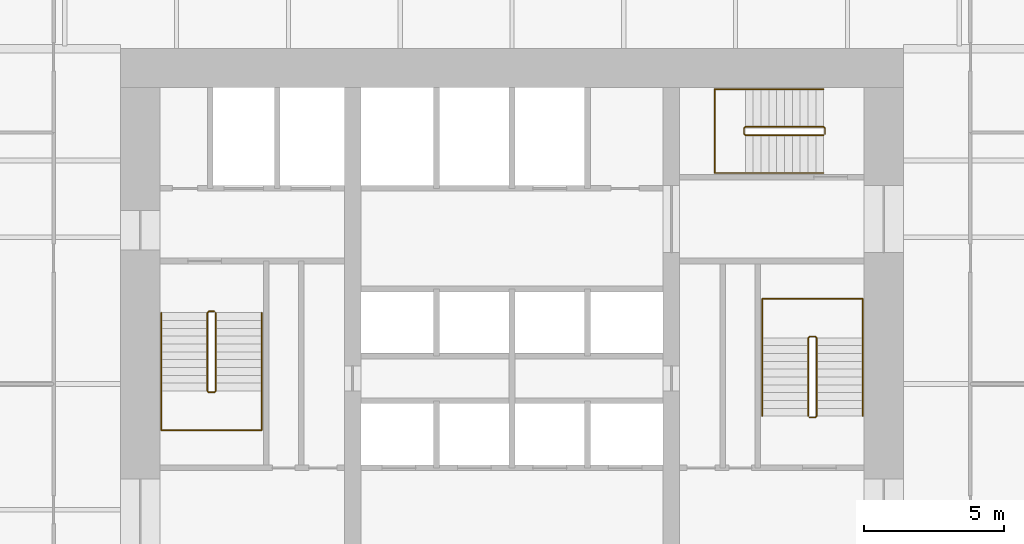
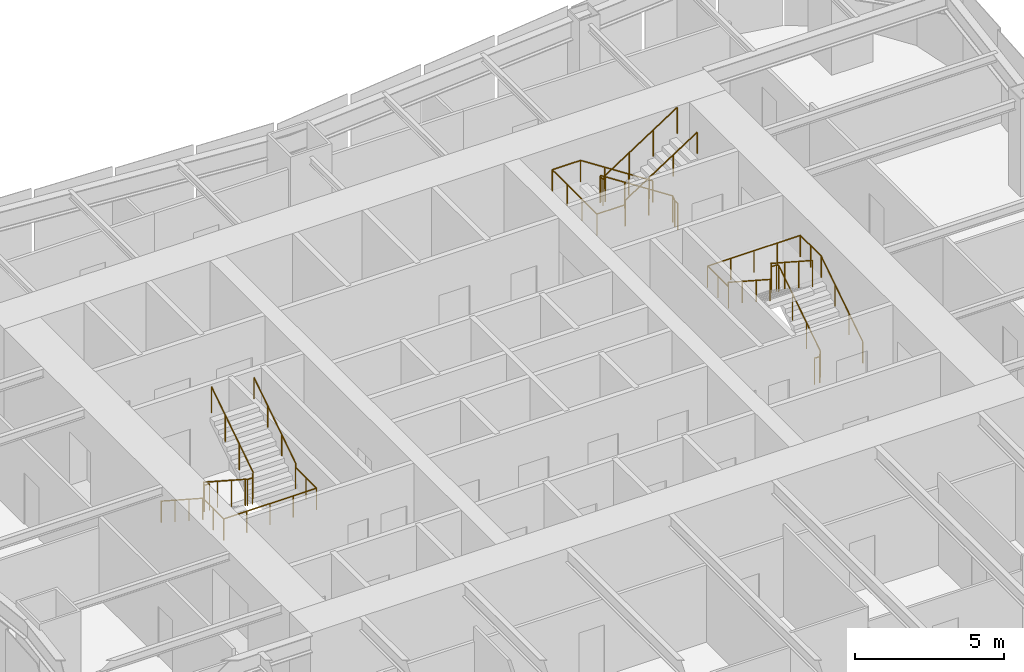
# One storey, part 7 of 7: 6 railings.
"""IFC4 building model written with IfcOpenShell, lengths in metres."""

from ifc_helpers import new_model, si_unit, direction, frame, origin, origin_2d, place, context, subcontext, project, spatial, circle, extrude, material, type_object, element, save


model = new_model("IFC4")

# Units and contexts
model_context = context("Model", 3, precision=1e-05, world=origin(), true_north=direction((0.0, 1.0)))
body_context = subcontext(model_context, "Body", "Model", "MODEL_VIEW")
ifc_project = project(units=[si_unit("LENGTHUNIT", "METRE"), si_unit("AREAUNIT", "SQUARE_METRE"), si_unit("VOLUMEUNIT", "CUBIC_METRE"), si_unit("PLANEANGLEUNIT", "RADIAN"), si_unit("MASSUNIT", "GRAM", prefix="KILO")], contexts=[model_context])

# Site, building, storey
site_placement = place(None, origin())
site = spatial("IfcSite", under=ifc_project, at=site_placement, CompositionType="ELEMENT")
building_placement = place(site_placement, origin())
building = spatial("IfcBuilding", under=site, at=building_placement, Name="Verdant Reach Tower", CompositionType="ELEMENT")
storey_placement = place(building_placement, frame((0.0, 0.0, 54.0)))
storey = spatial("IfcBuildingStorey", under=building, at=storey_placement, Name="L12", CompositionType="ELEMENT", Elevation=54.0)

# Railings
ifc_material = material(Name="Stainless steel", Category="steel")
railing_type_1 = type_object("IfcRailingType", Name="CO-GUARD", PredefinedType="GUARDRAIL", material=ifc_material)
railing_1_placement = place(storey_placement, frame((-10.64990234375, 29.60009765625, 0.0)))
element("IfcRailing", 1, at=railing_1_placement, inside=storey, type_object=railing_type_1, Name="L12 ST-1 stair guard 1", PredefinedType="GUARDRAIL", context=body_context, shape_type="SweptSolid", body=[
    extrude(circle(Radius=0.02392578125, at=origin_2d()), frame((0.0, 0.0, 1.076171875), z_axis=(-1.0, 0.0, 0.0), x_axis=(0.0, -1.0, 0.0)), (0.0, 0.0, 1.0), 0.2001953125),
    extrude(circle(Radius=0.02392578125, at=origin_2d()), frame((-0.2001953125, 0.0, 1.076171875), z_axis=(-0.25526617399, -0.256517478764, 0.932222056972), x_axis=(0.708833529934, -0.705375805398, 0.0)), (0.0, 0.0, 1.0), 0.195068359375),
    extrude(circle(Radius=0.02392578125, at=origin_2d()), frame((-0.25, -0.050048828125, 1.2578125), z_axis=(0.0, -0.838705829183, 0.544584733623), x_axis=(1.0, 0.0, 0.0)), (0.0, 0.0, 1.0), 3.338623046875),
    extrude(circle(Radius=0.02392578125, at=origin_2d()), frame((-0.25, -2.85009765625, 3.076171875), z_axis=(0.705375805398, -0.708833529934, 0.0), x_axis=(0.708833529934, 0.705375805398, 0.0)), (0.0, 0.0, 1.0), 0.070556640625),
    extrude(circle(Radius=0.02392578125, at=origin_2d()), frame((-0.2001953125, -2.900146484375, 3.076171875), z_axis=(1.0, 0.0, 0.0), x_axis=(0.0, 1.0, 0.0)), (0.0, 0.0, 1.0), 0.2001953125),
    extrude(circle(Radius=0.02392578125, at=origin_2d()), frame((0.0, -2.900146484375, 3.076171875), z_axis=(0.25526617399, 0.256517478764, 0.932222056972), x_axis=(-0.708833529934, 0.705375805398, 0.0)), (0.0, 0.0, 1.0), 0.195068359375),
    extrude(circle(Radius=0.02392578125, at=origin_2d()), frame((0.0498046875, -2.85009765625, 3.2578125), z_axis=(0.0, 0.838705829183, 0.544584733623), x_axis=(-1.0, 0.0, 0.0)), (0.0, 0.0, 1.0), 3.338623046875),
    extrude(circle(Radius=0.02099609375, at=origin_2d()), origin(), (0.0, 0.0, 1.0), 1.052001953125),
    extrude(circle(Radius=0.02099609375, at=origin_2d()), frame((-0.2001953125, 0.0, 0.0)), (0.0, 0.0, 1.0), 1.052001953125),
    extrude(circle(Radius=0.02099609375, at=origin_2d()), frame((-0.25, -0.050048828125, 0.181884765625)), (0.0, 0.0, 1.0), 1.052001953125),
    extrude(circle(Radius=0.02099609375, at=origin_2d()), frame((-0.25, -0.9833984375, 0.787841796875)), (0.0, 0.0, 1.0), 1.052001953125),
    extrude(circle(Radius=0.02099609375, at=origin_2d()), frame((-0.25, -1.916748046875, 1.39404296875)), (0.0, 0.0, 1.0), 1.052001953125),
    extrude(circle(Radius=0.02099609375, at=origin_2d()), frame((-0.25, -2.85009765625, 2.0)), (0.0, 0.0, 1.0), 1.052001953125),
    extrude(circle(Radius=0.02099609375, at=origin_2d()), frame((-0.2001953125, -2.900146484375, 2.0)), (0.0, 0.0, 1.0), 1.052001953125),
    extrude(circle(Radius=0.02099609375, at=origin_2d()), frame((0.0, -2.900146484375, 2.0)), (0.0, 0.0, 1.0), 1.052001953125),
    extrude(circle(Radius=0.02099609375, at=origin_2d()), frame((0.0498046875, -2.85009765625, 2.181884765625)), (0.0, 0.0, 1.0), 1.052001953125),
    extrude(circle(Radius=0.02099609375, at=origin_2d()), frame((0.0498046875, -1.916748046875, 2.787841796875)), (0.0, 0.0, 1.0), 1.052001953125),
    extrude(circle(Radius=0.02099609375, at=origin_2d()), frame((0.0498046875, -0.9833984375, 3.39404296875)), (0.0, 0.0, 1.0), 1.052001953125),
    extrude(circle(Radius=0.02099609375, at=origin_2d()), frame((0.0498046875, -0.050048828125, 4.0)), (0.0, 0.0, 1.0), 1.052001953125),
])
railing_2_placement = place(storey_placement, frame((10.64990234375, 25.800048828125, 0.0)))
element("IfcRailing", 2, at=railing_2_placement, inside=storey, type_object=railing_type_1, Name="L12 ST-2 stair guard 1", PredefinedType="GUARDRAIL", context=body_context, shape_type="SweptSolid", body=[
    extrude(circle(Radius=0.02392578125, at=origin_2d()), frame((0.0, 0.0, 1.076171875), z_axis=(1.0, 0.0, 0.0), x_axis=(0.0, 1.0, 0.0)), (0.0, 0.0, 1.0), 0.2001953125),
    extrude(circle(Radius=0.02392578125, at=origin_2d()), frame((0.2001953125, 0.0, 1.076171875), z_axis=(0.25526617399, 0.256517478764, 0.932222056972), x_axis=(-0.708833529934, 0.705375805398, 0.0)), (0.0, 0.0, 1.0), 0.195068359375),
    extrude(circle(Radius=0.02392578125, at=origin_2d()), frame((0.25, 0.050048828125, 1.2578125), z_axis=(0.0, 0.83868413941, 0.544618136222), x_axis=(-1.0, 0.0, 0.0)), (0.0, 0.0, 1.0), 3.33837890625),
    extrude(circle(Radius=0.02392578125, at=origin_2d()), frame((0.25, 2.849853515625, 3.076171875), z_axis=(-0.705375805398, 0.708833529934, 0.0), x_axis=(-0.708833529934, -0.705375805398, 0.0)), (0.0, 0.0, 1.0), 0.070556640625),
    extrude(circle(Radius=0.02392578125, at=origin_2d()), frame((0.2001953125, 2.89990234375, 3.076171875), z_axis=(-1.0, 0.0, 0.0), x_axis=(0.0, -1.0, 0.0)), (0.0, 0.0, 1.0), 0.2001953125),
    extrude(circle(Radius=0.02392578125, at=origin_2d()), frame((0.0, 2.89990234375, 3.076171875), z_axis=(-0.25526617399, -0.256517478764, 0.932222056972), x_axis=(0.708833529934, -0.705375805398, 0.0)), (0.0, 0.0, 1.0), 0.195068359375),
    extrude(circle(Radius=0.02392578125, at=origin_2d()), frame((-0.0498046875, 2.849853515625, 3.2578125), z_axis=(0.0, -0.83868413941, 0.544618136222), x_axis=(1.0, 0.0, 0.0)), (0.0, 0.0, 1.0), 3.33837890625),
    extrude(circle(Radius=0.02099609375, at=origin_2d()), origin(), (0.0, 0.0, 1.0), 1.052001953125),
    extrude(circle(Radius=0.02099609375, at=origin_2d()), frame((0.2001953125, 0.0, 0.0)), (0.0, 0.0, 1.0), 1.052001953125),
    extrude(circle(Radius=0.02099609375, at=origin_2d()), frame((0.25, 0.050048828125, 0.181884765625)), (0.0, 0.0, 1.0), 1.052001953125),
    extrude(circle(Radius=0.02099609375, at=origin_2d()), frame((0.25, 0.9833984375, 0.787841796875)), (0.0, 0.0, 1.0), 1.052001953125),
    extrude(circle(Radius=0.02099609375, at=origin_2d()), frame((0.25, 1.91650390625, 1.39404296875)), (0.0, 0.0, 1.0), 1.052001953125),
    extrude(circle(Radius=0.02099609375, at=origin_2d()), frame((0.25, 2.849853515625, 2.0)), (0.0, 0.0, 1.0), 1.052001953125),
    extrude(circle(Radius=0.02099609375, at=origin_2d()), frame((0.2001953125, 2.89990234375, 2.0)), (0.0, 0.0, 1.0), 1.052001953125),
    extrude(circle(Radius=0.02099609375, at=origin_2d()), frame((0.0, 2.89990234375, 2.0)), (0.0, 0.0, 1.0), 1.052001953125),
    extrude(circle(Radius=0.02099609375, at=origin_2d()), frame((-0.0498046875, 2.849853515625, 2.181884765625)), (0.0, 0.0, 1.0), 1.052001953125),
    extrude(circle(Radius=0.02099609375, at=origin_2d()), frame((-0.0498046875, 1.91650390625, 2.787841796875)), (0.0, 0.0, 1.0), 1.052001953125),
    extrude(circle(Radius=0.02099609375, at=origin_2d()), frame((-0.0498046875, 0.9833984375, 3.39404296875)), (0.0, 0.0, 1.0), 1.052001953125),
    extrude(circle(Radius=0.02099609375, at=origin_2d()), frame((-0.0498046875, 0.050048828125, 4.0)), (0.0, 0.0, 1.0), 1.052001953125),
])
railing_3_placement = place(storey_placement, frame((11.199951171875, 35.949951171875, 0.0)))
element("IfcRailing", 3, at=railing_3_placement, inside=storey, type_object=railing_type_1, Name="L12 ST-3 stair guard 1", PredefinedType="GUARDRAIL", context=body_context, shape_type="SweptSolid", body=[
    extrude(circle(Radius=0.02392578125, at=origin_2d()), frame((0.0, 0.0, 1.076171875), z_axis=(0.0, 1.0, 0.0), x_axis=(-1.0, 0.0, 0.0)), (0.0, 0.0, 1.0), 0.199951171875),
    extrude(circle(Radius=0.02392578125, at=origin_2d()), frame((0.0, 0.199951171875, 1.076171875), z_axis=(-0.256435381639, 0.256435381639, 0.931923704005), x_axis=(-0.707106781187, -0.707106781187, 0.0)), (0.0, 0.0, 1.0), 0.195068359375),
    extrude(circle(Radius=0.02392578125, at=origin_2d()), frame((-0.050048828125, 0.25, 1.2578125), z_axis=(-0.83868413941, 0.0, 0.544618136222), x_axis=(0.0, -1.0, 0.0)), (0.0, 0.0, 1.0), 3.33837890625),
    extrude(circle(Radius=0.02392578125, at=origin_2d()), frame((-2.849853515625, 0.25, 3.076171875), z_axis=(-0.707106781187, -0.707106781187, 0.0), x_axis=(0.707106781187, -0.707106781187, 0.0)), (0.0, 0.0, 1.0), 0.07080078125),
    extrude(circle(Radius=0.02392578125, at=origin_2d()), frame((-2.89990234375, 0.199951171875, 3.076171875), z_axis=(0.0, -1.0, 0.0), x_axis=(1.0, 0.0, 0.0)), (0.0, 0.0, 1.0), 0.199951171875),
    extrude(circle(Radius=0.02392578125, at=origin_2d()), frame((-2.89990234375, 0.0, 3.076171875), z_axis=(0.256435381639, -0.256435381639, 0.931923704005), x_axis=(0.707106781187, 0.707106781187, 0.0)), (0.0, 0.0, 1.0), 0.195068359375),
    extrude(circle(Radius=0.02392578125, at=origin_2d()), frame((-2.849853515625, -0.050048828125, 3.2578125), z_axis=(0.83868413941, 0.0, 0.544618136222), x_axis=(0.0, 1.0, 0.0)), (0.0, 0.0, 1.0), 3.33837890625),
    extrude(circle(Radius=0.02099609375, at=origin_2d()), origin(), (0.0, 0.0, 1.0), 1.052001953125),
    extrude(circle(Radius=0.02099609375, at=origin_2d()), frame((0.0, 0.199951171875, 0.0)), (0.0, 0.0, 1.0), 1.052001953125),
    extrude(circle(Radius=0.02099609375, at=origin_2d()), frame((-0.050048828125, 0.25, 0.181884765625)), (0.0, 0.0, 1.0), 1.052001953125),
    extrude(circle(Radius=0.02099609375, at=origin_2d()), frame((-0.9833984375, 0.25, 0.787841796875)), (0.0, 0.0, 1.0), 1.052001953125),
    extrude(circle(Radius=0.02099609375, at=origin_2d()), frame((-1.91650390625, 0.25, 1.39404296875)), (0.0, 0.0, 1.0), 1.052001953125),
    extrude(circle(Radius=0.02099609375, at=origin_2d()), frame((-2.849853515625, 0.25, 2.0)), (0.0, 0.0, 1.0), 1.052001953125),
    extrude(circle(Radius=0.02099609375, at=origin_2d()), frame((-2.89990234375, 0.199951171875, 2.0)), (0.0, 0.0, 1.0), 1.052001953125),
    extrude(circle(Radius=0.02099609375, at=origin_2d()), frame((-2.89990234375, 0.0, 2.0)), (0.0, 0.0, 1.0), 1.052001953125),
    extrude(circle(Radius=0.02099609375, at=origin_2d()), frame((-2.849853515625, -0.050048828125, 2.181884765625)), (0.0, 0.0, 1.0), 1.052001953125),
    extrude(circle(Radius=0.02099609375, at=origin_2d()), frame((-1.91650390625, -0.050048828125, 2.787841796875)), (0.0, 0.0, 1.0), 1.052001953125),
    extrude(circle(Radius=0.02099609375, at=origin_2d()), frame((-0.9833984375, -0.050048828125, 3.39404296875)), (0.0, 0.0, 1.0), 1.052001953125),
    extrude(circle(Radius=0.02099609375, at=origin_2d()), frame((-0.050048828125, -0.050048828125, 4.0)), (0.0, 0.0, 1.0), 1.052001953125),
])
railing_type_2 = type_object("IfcRailingType", Name="CO-HANDRAIL", PredefinedType="HANDRAIL", material=ifc_material)
railing_4_placement = place(storey_placement, frame((-12.550048828125, 29.550048828125, 0.181884765625)))
element("IfcRailing", 4, at=railing_4_placement, inside=storey, type_object=railing_type_2, Name="L12 ST-1 stair handrail 1", PredefinedType="HANDRAIL", context=body_context, shape_type="SweptSolid", body=[
    extrude(circle(Radius=0.02392578125, at=origin_2d()), frame((0.0, 0.0, 0.8759765625), z_axis=(0.0, -0.838705829183, 0.544584733623), x_axis=(1.0, 0.0, 0.0)), (0.0, 0.0, 1.0), 3.338623046875),
    extrude(circle(Radius=0.02392578125, at=origin_2d()), frame((0.0, -2.800048828125, 2.69384765625), z_axis=(0.0, -1.0, 0.0), x_axis=(1.0, 0.0, 0.0)), (0.0, 0.0, 1.0), 1.39990234375),
    extrude(circle(Radius=0.02392578125, at=origin_2d()), frame((0.0, -4.199951171875, 2.69384765625), z_axis=(1.0, 0.0, 0.0), x_axis=(0.0, 1.0, 0.0)), (0.0, 0.0, 1.0), 3.60009765625),
    extrude(circle(Radius=0.02392578125, at=origin_2d()), frame((3.60009765625, -4.199951171875, 2.69384765625), z_axis=(0.0, 1.0, 0.0), x_axis=(-1.0, 0.0, 0.0)), (0.0, 0.0, 1.0), 1.39990234375),
    extrude(circle(Radius=0.02392578125, at=origin_2d()), frame((3.60009765625, -2.800048828125, 2.69384765625), z_axis=(0.0, 0.0, 1.0), x_axis=(1.0, 0.0, 0.0)), (0.0, 0.0, 1.0), 0.181884765625),
    extrude(circle(Radius=0.02392578125, at=origin_2d()), frame((3.60009765625, -2.800048828125, 2.8759765625), z_axis=(0.0, 0.838705829183, 0.544584733623), x_axis=(-1.0, 0.0, 0.0)), (0.0, 0.0, 1.0), 3.338623046875),
    extrude(circle(Radius=0.02099609375, at=origin_2d()), origin(), (0.0, 0.0, 1.0), 0.851806640625),
    extrude(circle(Radius=0.02099609375, at=origin_2d()), frame((0.0, -0.933349609375, 0.60595703125)), (0.0, 0.0, 1.0), 0.851806640625),
    extrude(circle(Radius=0.02099609375, at=origin_2d()), frame((0.0, -1.86669921875, 1.212158203125)), (0.0, 0.0, 1.0), 0.851806640625),
    extrude(circle(Radius=0.02099609375, at=origin_2d()), frame((0.0, -2.800048828125, 1.818115234375)), (0.0, 0.0, 1.0), 0.851806640625),
    extrude(circle(Radius=0.02099609375, at=origin_2d()), frame((0.0, -3.5, 1.818115234375)), (0.0, 0.0, 1.0), 0.851806640625),
    extrude(circle(Radius=0.02099609375, at=origin_2d()), frame((0.0, -4.199951171875, 1.818115234375)), (0.0, 0.0, 1.0), 0.851806640625),
    extrude(circle(Radius=0.02099609375, at=origin_2d()), frame((0.89990234375, -4.199951171875, 1.818115234375)), (0.0, 0.0, 1.0), 0.851806640625),
    extrude(circle(Radius=0.02099609375, at=origin_2d()), frame((1.800048828125, -4.199951171875, 1.818115234375)), (0.0, 0.0, 1.0), 0.851806640625),
    extrude(circle(Radius=0.02099609375, at=origin_2d()), frame((2.7001953125, -4.199951171875, 1.818115234375)), (0.0, 0.0, 1.0), 0.851806640625),
    extrude(circle(Radius=0.02099609375, at=origin_2d()), frame((3.60009765625, -4.199951171875, 1.818115234375)), (0.0, 0.0, 1.0), 0.851806640625),
    extrude(circle(Radius=0.02099609375, at=origin_2d()), frame((3.60009765625, -3.5, 1.818115234375)), (0.0, 0.0, 1.0), 0.851806640625),
    extrude(circle(Radius=0.02099609375, at=origin_2d()), frame((3.60009765625, -2.800048828125, 1.818115234375)), (0.0, 0.0, 1.0), 0.851806640625),
    extrude(circle(Radius=0.02099609375, at=origin_2d()), frame((3.60009765625, -2.800048828125, 2.0)), (0.0, 0.0, 1.0), 0.851806640625),
    extrude(circle(Radius=0.02099609375, at=origin_2d()), frame((3.60009765625, -1.86669921875, 2.60595703125)), (0.0, 0.0, 1.0), 0.851806640625),
    extrude(circle(Radius=0.02099609375, at=origin_2d()), frame((3.60009765625, -0.933349609375, 3.212158203125)), (0.0, 0.0, 1.0), 0.851806640625),
    extrude(circle(Radius=0.02099609375, at=origin_2d()), frame((3.60009765625, 0.0, 3.818115234375)), (0.0, 0.0, 1.0), 0.851806640625),
])
railing_5_placement = place(storey_placement, frame((12.550048828125, 25.85009765625, 0.181884765625)))
element("IfcRailing", 5, at=railing_5_placement, inside=storey, type_object=railing_type_2, Name="L12 ST-2 stair handrail 1", PredefinedType="HANDRAIL", context=body_context, shape_type="SweptSolid", body=[
    extrude(circle(Radius=0.02392578125, at=origin_2d()), frame((0.0, 0.0, 0.8759765625), z_axis=(0.0, 0.83868413941, 0.544618136222), x_axis=(-1.0, 0.0, 0.0)), (0.0, 0.0, 1.0), 3.33837890625),
    extrude(circle(Radius=0.02392578125, at=origin_2d()), frame((0.0, 2.7998046875, 2.69384765625), z_axis=(0.0, 1.0, 0.0), x_axis=(-1.0, 0.0, 0.0)), (0.0, 0.0, 1.0), 1.400146484375),
    extrude(circle(Radius=0.02392578125, at=origin_2d()), frame((0.0, 4.199951171875, 2.69384765625), z_axis=(-1.0, 0.0, 0.0), x_axis=(0.0, -1.0, 0.0)), (0.0, 0.0, 1.0), 3.60009765625),
    extrude(circle(Radius=0.02392578125, at=origin_2d()), frame((-3.60009765625, 4.199951171875, 2.69384765625), z_axis=(0.0, -1.0, 0.0), x_axis=(1.0, 0.0, 0.0)), (0.0, 0.0, 1.0), 1.400146484375),
    extrude(circle(Radius=0.02392578125, at=origin_2d()), frame((-3.60009765625, 2.7998046875, 2.69384765625), z_axis=(0.0, 0.0, 1.0), x_axis=(1.0, 0.0, 0.0)), (0.0, 0.0, 1.0), 0.181884765625),
    extrude(circle(Radius=0.02392578125, at=origin_2d()), frame((-3.60009765625, 2.7998046875, 2.8759765625), z_axis=(0.0, -0.83868413941, 0.544618136222), x_axis=(1.0, 0.0, 0.0)), (0.0, 0.0, 1.0), 3.33837890625),
    extrude(circle(Radius=0.02099609375, at=origin_2d()), origin(), (0.0, 0.0, 1.0), 0.851806640625),
    extrude(circle(Radius=0.02099609375, at=origin_2d()), frame((0.0, 0.933349609375, 0.60595703125)), (0.0, 0.0, 1.0), 0.851806640625),
    extrude(circle(Radius=0.02099609375, at=origin_2d()), frame((0.0, 1.866455078125, 1.212158203125)), (0.0, 0.0, 1.0), 0.851806640625),
    extrude(circle(Radius=0.02099609375, at=origin_2d()), frame((0.0, 2.7998046875, 1.818115234375)), (0.0, 0.0, 1.0), 0.851806640625),
    extrude(circle(Radius=0.02099609375, at=origin_2d()), frame((0.0, 3.5, 1.818115234375)), (0.0, 0.0, 1.0), 0.851806640625),
    extrude(circle(Radius=0.02099609375, at=origin_2d()), frame((0.0, 4.199951171875, 1.818115234375)), (0.0, 0.0, 1.0), 0.851806640625),
    extrude(circle(Radius=0.02099609375, at=origin_2d()), frame((-0.89990234375, 4.199951171875, 1.818115234375)), (0.0, 0.0, 1.0), 0.851806640625),
    extrude(circle(Radius=0.02099609375, at=origin_2d()), frame((-1.800048828125, 4.199951171875, 1.818115234375)), (0.0, 0.0, 1.0), 0.851806640625),
    extrude(circle(Radius=0.02099609375, at=origin_2d()), frame((-2.7001953125, 4.199951171875, 1.818115234375)), (0.0, 0.0, 1.0), 0.851806640625),
    extrude(circle(Radius=0.02099609375, at=origin_2d()), frame((-3.60009765625, 4.199951171875, 1.818115234375)), (0.0, 0.0, 1.0), 0.851806640625),
    extrude(circle(Radius=0.02099609375, at=origin_2d()), frame((-3.60009765625, 3.5, 1.818115234375)), (0.0, 0.0, 1.0), 0.851806640625),
    extrude(circle(Radius=0.02099609375, at=origin_2d()), frame((-3.60009765625, 2.7998046875, 1.818115234375)), (0.0, 0.0, 1.0), 0.851806640625),
    extrude(circle(Radius=0.02099609375, at=origin_2d()), frame((-3.60009765625, 2.7998046875, 2.0)), (0.0, 0.0, 1.0), 0.851806640625),
    extrude(circle(Radius=0.02099609375, at=origin_2d()), frame((-3.60009765625, 1.866455078125, 2.60595703125)), (0.0, 0.0, 1.0), 0.851806640625),
    extrude(circle(Radius=0.02099609375, at=origin_2d()), frame((-3.60009765625, 0.933349609375, 3.212158203125)), (0.0, 0.0, 1.0), 0.851806640625),
    extrude(circle(Radius=0.02099609375, at=origin_2d()), frame((-3.60009765625, 0.0, 3.818115234375)), (0.0, 0.0, 1.0), 0.851806640625),
])
railing_6_placement = place(storey_placement, frame((11.14990234375, 37.550048828125, 0.181884765625)))
element("IfcRailing", 6, at=railing_6_placement, inside=storey, type_object=railing_type_2, Name="L12 ST-3 stair handrail 1", PredefinedType="HANDRAIL", context=body_context, shape_type="SweptSolid", body=[
    extrude(circle(Radius=0.02392578125, at=origin_2d()), frame((0.0, 0.0, 0.8759765625), z_axis=(-0.83868413941, 0.0, 0.544618136222), x_axis=(0.0, -1.0, 0.0)), (0.0, 0.0, 1.0), 3.33837890625),
    extrude(circle(Radius=0.02392578125, at=origin_2d()), frame((-2.7998046875, 0.0, 2.69384765625), z_axis=(-1.0, 0.0, 0.0), x_axis=(0.0, -1.0, 0.0)), (0.0, 0.0, 1.0), 1.10009765625),
    extrude(circle(Radius=0.02392578125, at=origin_2d()), frame((-3.89990234375, 0.0, 2.69384765625), z_axis=(0.0, -1.0, 0.0), x_axis=(1.0, 0.0, 0.0)), (0.0, 0.0, 1.0), 3.0),
    extrude(circle(Radius=0.02392578125, at=origin_2d()), frame((-3.89990234375, -3.0, 2.69384765625), z_axis=(1.0, 0.0, 0.0), x_axis=(0.0, 1.0, 0.0)), (0.0, 0.0, 1.0), 1.10009765625),
    extrude(circle(Radius=0.02392578125, at=origin_2d()), frame((-2.7998046875, -3.0, 2.69384765625), z_axis=(0.0, 0.0, 1.0), x_axis=(1.0, 0.0, 0.0)), (0.0, 0.0, 1.0), 0.181884765625),
    extrude(circle(Radius=0.02392578125, at=origin_2d()), frame((-2.7998046875, -3.0, 2.8759765625), z_axis=(0.83868413941, 0.0, 0.544618136222), x_axis=(0.0, 1.0, 0.0)), (0.0, 0.0, 1.0), 3.33837890625),
    extrude(circle(Radius=0.02099609375, at=origin_2d()), origin(), (0.0, 0.0, 1.0), 0.851806640625),
    extrude(circle(Radius=0.02099609375, at=origin_2d()), frame((-0.933349609375, 0.0, 0.60595703125)), (0.0, 0.0, 1.0), 0.851806640625),
    extrude(circle(Radius=0.02099609375, at=origin_2d()), frame((-1.866455078125, 0.0, 1.212158203125)), (0.0, 0.0, 1.0), 0.851806640625),
    extrude(circle(Radius=0.02099609375, at=origin_2d()), frame((-2.7998046875, 0.0, 1.818115234375)), (0.0, 0.0, 1.0), 0.851806640625),
    extrude(circle(Radius=0.02099609375, at=origin_2d()), frame((-3.89990234375, 0.0, 1.818115234375)), (0.0, 0.0, 1.0), 0.851806640625),
    extrude(circle(Radius=0.02099609375, at=origin_2d()), frame((-3.89990234375, -1.0, 1.818115234375)), (0.0, 0.0, 1.0), 0.851806640625),
    extrude(circle(Radius=0.02099609375, at=origin_2d()), frame((-3.89990234375, -2.0, 1.818115234375)), (0.0, 0.0, 1.0), 0.851806640625),
    extrude(circle(Radius=0.02099609375, at=origin_2d()), frame((-3.89990234375, -3.0, 1.818115234375)), (0.0, 0.0, 1.0), 0.851806640625),
    extrude(circle(Radius=0.02099609375, at=origin_2d()), frame((-2.7998046875, -3.0, 1.818115234375)), (0.0, 0.0, 1.0), 0.851806640625),
    extrude(circle(Radius=0.02099609375, at=origin_2d()), frame((-2.7998046875, -3.0, 2.0)), (0.0, 0.0, 1.0), 0.851806640625),
    extrude(circle(Radius=0.02099609375, at=origin_2d()), frame((-1.866455078125, -3.0, 2.60595703125)), (0.0, 0.0, 1.0), 0.851806640625),
    extrude(circle(Radius=0.02099609375, at=origin_2d()), frame((-0.933349609375, -3.0, 3.212158203125)), (0.0, 0.0, 1.0), 0.851806640625),
    extrude(circle(Radius=0.02099609375, at=origin_2d()), frame((0.0, -3.0, 3.818115234375)), (0.0, 0.0, 1.0), 0.851806640625),
])

save(model, "model.ifc")
